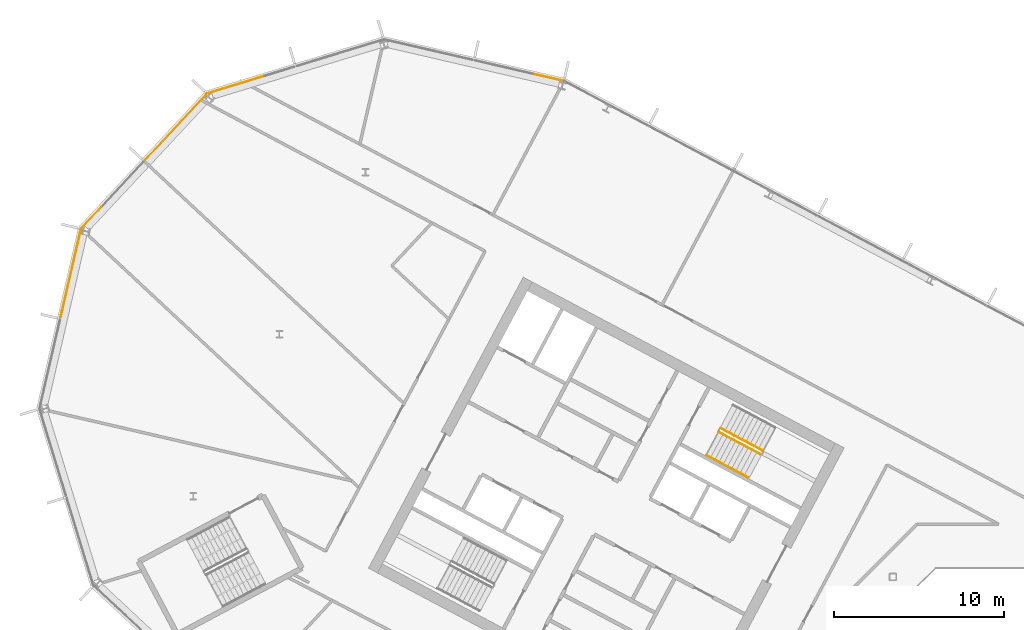
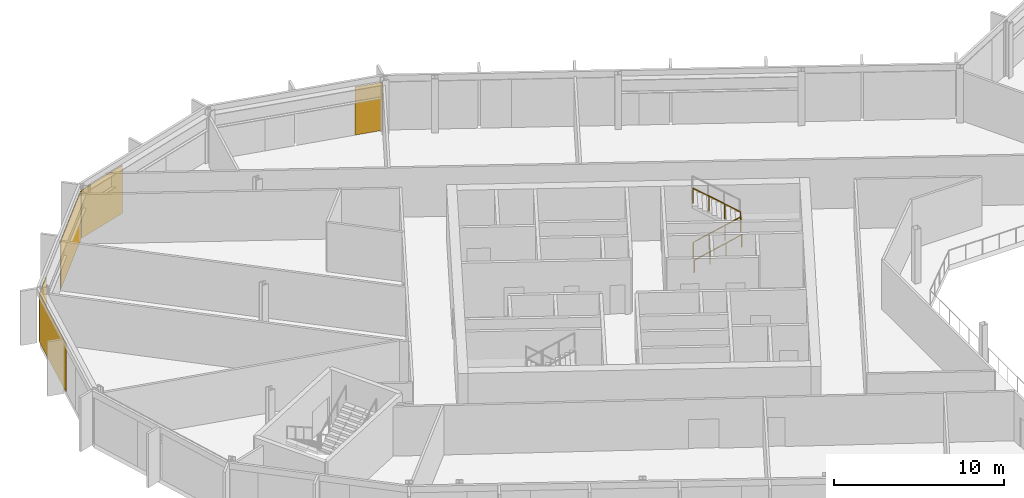
# One storey, part 21 of 26: 5 coverings, 3 railings, 4 elements without a shape of their own.
"""IFC4 building model written with IfcOpenShell, lengths in metres."""

from ifc_helpers import new_model, si_unit, direction, frame, origin, origin_2d, place, context, subcontext, project, spatial, polyline, rectangle, outline, extrude, material, layer, layer_set, type_object, element, aggregate, save


model = new_model("IFC4")

# Units and contexts
model_context = context("Model", 3, precision=1e-05, world=origin(), true_north=direction((0.0, 1.0)))
body_context = subcontext(model_context, "Body", "Model", "MODEL_VIEW")
ifc_project = project(units=[si_unit("LENGTHUNIT", "METRE"), si_unit("AREAUNIT", "SQUARE_METRE"), si_unit("VOLUMEUNIT", "CUBIC_METRE"), si_unit("PLANEANGLEUNIT", "RADIAN"), si_unit("MASSUNIT", "GRAM", prefix="KILO")], contexts=[model_context])

# Site, building, storey
site_placement = place(None, origin())
site = spatial("IfcSite", under=ifc_project, at=site_placement, CompositionType="ELEMENT")
building_placement = place(site_placement, origin())
building = spatial("IfcBuilding", under=site, at=building_placement, Name="Cormorant Relay Tower", CompositionType="ELEMENT")
storey_placement = place(building_placement, frame((0.0, 0.0, 213.0)))
storey = spatial("IfcBuildingStorey", under=building, at=storey_placement, Name="L46", CompositionType="ELEMENT", Elevation=213.0)

# Curtain wall, covering
ifc_material_1 = material(Name="Aluminium 6063-T6 anodised bronze", Category="aluminium")
ifc_layer_1 = layer(ifc_material_1, 0.199951171875)
ifc_layer_set_1 = layer_set([ifc_layer_1], Name="CW1 unitised bronze curtain wall with vertical fins")
curtain_wall_type = type_object("IfcCurtainWallType", Name="CW1 unitised bronze curtain wall with vertical fins", PredefinedType="NOTDEFINED", material=ifc_layer_set_1)
curtain_wall_1_placement = place(storey_placement, origin())
curtain_wall_1 = element("IfcCurtainWall", 1, at=curtain_wall_1_placement, inside=storey, type_object=curtain_wall_type, Name="CW1 curtain wall 10", PredefinedType="NOTDEFINED")
ifc_material_2 = material(Name="Pale bronze anodised aluminium insulated panel", Category="aluminium")
ifc_layer_2 = layer(ifc_material_2, 0.0400390625)
ifc_layer_set_2 = layer_set([ifc_layer_2], Name="CW1 pale bronze insulated panel 40")
covering_type = type_object("IfcCoveringType", Name="CW1 pale bronze insulated panel 40", PredefinedType="CLADDING", material=ifc_layer_set_2)
covering_1_placement = place(storey_placement, frame((-30.76318359375, 39.89404296875, 0.0), z_axis=(0.0, 0.0, 1.0), x_axis=(-0.974370064785, 0.224951054344, 0.0)))
covering_1 = element("IfcCovering", 2, at=covering_1_placement, type_object=covering_type, Name="CW1 panel S00", PredefinedType="CLADDING", context=body_context, shape_type="SweptSolid", body=[
    extrude(rectangle(XDim=1.685302734375, YDim=0.0400390625, at=origin_2d()), origin(), (0.0, 0.0, 1.0), 3.449951171875),
])
aggregate(curtain_wall_1, [covering_1])

curtain_wall_2_placement = place(storey_placement, origin())
curtain_wall_2 = element("IfcCurtainWall", 3, at=curtain_wall_2_placement, inside=storey, type_object=curtain_wall_type, Name="CW1 curtain wall 11", PredefinedType="NOTDEFINED")
covering_2_placement = place(storey_placement, frame((-49.16455078125, 39.474853515625, 0.0), z_axis=(0.0, 0.0, 1.0), x_axis=(-0.956304755963, -0.292371704723, 0.0)))
covering_2 = element("IfcCovering", 4, at=covering_2_placement, type_object=covering_type, Name="CW1 panel S03", PredefinedType="CLADDING", context=body_context, shape_type="SweptSolid", body=[
    extrude(rectangle(XDim=3.560302734375, YDim=0.0400390625, at=origin_2d()), origin(), (0.0, 0.0, 1.0), 3.449951171875),
])
aggregate(curtain_wall_2, [covering_2])

# Curtain wall, coverings
curtain_wall_3_placement = place(storey_placement, origin())
curtain_wall_3 = element("IfcCurtainWall", 5, at=curtain_wall_3_placement, inside=storey, type_object=curtain_wall_type, Name="CW1 curtain wall 12", PredefinedType="NOTDEFINED")
covering_3_placement = place(storey_placement, frame((-52.72900390625, 36.961181640625, 0.0), z_axis=(0.0, 0.0, 1.0), x_axis=(-0.681998360062, -0.731353701619, 0.0)))
covering_3 = element("IfcCovering", 6, at=covering_3_placement, type_object=covering_type, Name="CW1 panel S00", PredefinedType="CLADDING", context=body_context, shape_type="SweptSolid", body=[
    extrude(rectangle(XDim=5.28515625, YDim=0.0400390625, at=origin_2d()), origin(), (0.0, 0.0, 1.0), 3.449951171875),
])
covering_4_placement = place(storey_placement, frame((-57.68896484375, 31.642333984375, 0.0), z_axis=(0.0, 0.0, 1.0), x_axis=(-0.681998360062, -0.731353701619, 0.0)))
covering_4 = element("IfcCovering", 7, at=covering_4_placement, type_object=covering_type, Name="CW1 panel S02", PredefinedType="CLADDING", context=body_context, shape_type="SweptSolid", body=[
    extrude(rectangle(XDim=1.76025390625, YDim=0.0400390625, at=origin_2d()), origin(), (0.0, 0.0, 1.0), 3.449951171875),
])
aggregate(curtain_wall_3, [covering_3, covering_4])

# Curtain wall, covering
curtain_wall_4_placement = place(storey_placement, origin())
curtain_wall_4 = element("IfcCurtainWall", 8, at=curtain_wall_4_placement, inside=storey, type_object=curtain_wall_type, Name="CW1 curtain wall 13", PredefinedType="NOTDEFINED")
covering_5_placement = place(storey_placement, frame((-58.905517578125, 28.341796875, 0.0), z_axis=(0.0, 0.0, 1.0), x_axis=(-0.224951054344, -0.974370064785, 0.0)))
covering_5 = element("IfcCovering", 9, at=covering_5_placement, type_object=covering_type, Name="CW1 panel S00", PredefinedType="CLADDING", context=body_context, shape_type="SweptSolid", body=[
    extrude(rectangle(XDim=5.28515625, YDim=0.0400390625, at=origin_2d()), origin(), (0.0, 0.0, 1.0), 3.449951171875),
])
aggregate(curtain_wall_4, [covering_5])

# Railings
ifc_material_3 = material(Name="Steel ASTM A572 Grade 50 (Fy 345 MPa)", Category="steel")
railing_type_1 = type_object("IfcRailingType", Name="Stair guard 1100", PredefinedType="GUARDRAIL", material=ifc_material_3)
railing_1_placement = place(storey_placement, frame((-20.75048828125, 19.017822265625, 0.17724609375)))
element("IfcRailing", 10, at=railing_1_placement, inside=storey, type_object=railing_type_1, Name="L46 A1 stair guard 1", PredefinedType="GUARDRAIL", context=body_context, shape_type="SweptSolid", body=[
    extrude(outline(polyline([(0.022216796875, 0.00927734375), (0.00927734375, 0.022216796875), (-0.00927734375, 0.022216796875), (-0.022216796875, 0.00927734375), (-0.022216796875, -0.00927734375), (-0.00927734375, -0.022216796875), (0.00927734375, -0.022216796875), (0.022216796875, -0.00927734375), (0.022216796875, 0.00927734375)])), frame((0.0, 0.0, 1.076171875), z_axis=(0.746001213114, -0.396649272309, 0.534931345884), x_axis=(0.469465464807, 0.882950835185, 0.0)), (0.0, 0.0, 1.0), 3.31396484375),
    extrude(outline(polyline([(0.019287109375, 0.008056640625), (0.008056640625, 0.019287109375), (-0.008056640625, 0.019287109375), (-0.019287109375, 0.008056640625), (-0.019287109375, -0.008056640625), (-0.008056640625, -0.019287109375), (0.008056640625, -0.019287109375), (0.019287109375, -0.008056640625), (0.019287109375, 0.008056640625)])), origin(), (0.0, 0.0, 1.0), 1.052001953125),
    extrude(outline(polyline([(0.019287109375, 0.008056640625), (0.008056640625, 0.019287109375), (-0.008056640625, 0.019287109375), (-0.019287109375, 0.008056640625), (-0.019287109375, -0.008056640625), (-0.008056640625, -0.019287109375), (0.008056640625, -0.019287109375), (0.019287109375, -0.008056640625), (0.019287109375, 0.008056640625)])), frame((0.823974609375, -0.438232421875, 0.5908203125)), (0.0, 0.0, 1.0), 1.052001953125),
    extrude(outline(polyline([(0.019287109375, 0.008056640625), (0.008056640625, 0.019287109375), (-0.008056640625, 0.019287109375), (-0.019287109375, 0.008056640625), (-0.019287109375, -0.008056640625), (-0.008056640625, -0.019287109375), (0.008056640625, -0.019287109375), (0.019287109375, -0.008056640625), (0.019287109375, 0.008056640625)])), frame((1.648193359375, -0.876220703125, 1.181884765625)), (0.0, 0.0, 1.0), 1.052001953125),
    extrude(outline(polyline([(0.019287109375, 0.008056640625), (0.008056640625, 0.019287109375), (-0.008056640625, 0.019287109375), (-0.019287109375, 0.008056640625), (-0.019287109375, -0.008056640625), (-0.008056640625, -0.019287109375), (0.008056640625, -0.019287109375), (0.019287109375, -0.008056640625), (0.019287109375, 0.008056640625)])), frame((2.47216796875, -1.314453125, 1.772705078125)), (0.0, 0.0, 1.0), 1.052001953125),
])
railing_2_placement = place(storey_placement, frame((-18.160888671875, 17.924072265625, 2.127197265625)))
element("IfcRailing", 11, at=railing_2_placement, inside=storey, type_object=railing_type_1, Name="L46 A1 stair guard 3", PredefinedType="GUARDRAIL", context=body_context, shape_type="SweptSolid", body=[
    extrude(outline(polyline([(0.022216796875, 0.00927734375), (0.00927734375, 0.022216796875), (-0.00927734375, 0.022216796875), (-0.022216796875, 0.00927734375), (-0.022216796875, -0.00927734375), (-0.00927734375, -0.022216796875), (0.00927734375, -0.022216796875), (0.022216796875, -0.00927734375), (0.022216796875, 0.00927734375)])), frame((0.0, 0.0, 1.076171875), z_axis=(-0.746033882577, 0.396627473466, 0.534901947407), x_axis=(-0.469429322983, -0.882970050864, 0.0)), (0.0, 0.0, 1.0), 3.31396484375),
    extrude(outline(polyline([(0.019287109375, 0.008056640625), (0.008056640625, 0.019287109375), (-0.008056640625, 0.019287109375), (-0.019287109375, 0.008056640625), (-0.019287109375, -0.008056640625), (-0.008056640625, -0.019287109375), (0.008056640625, -0.019287109375), (0.019287109375, -0.008056640625), (0.019287109375, 0.008056640625)])), origin(), (0.0, 0.0, 1.0), 1.052001953125),
    extrude(outline(polyline([(0.019287109375, 0.008056640625), (0.008056640625, 0.019287109375), (-0.008056640625, 0.019287109375), (-0.019287109375, 0.008056640625), (-0.019287109375, -0.008056640625), (-0.008056640625, -0.019287109375), (0.008056640625, -0.019287109375), (0.019287109375, -0.008056640625), (0.019287109375, 0.008056640625)])), frame((-0.82421875, 0.438232421875, 0.5908203125)), (0.0, 0.0, 1.0), 1.052001953125),
    extrude(outline(polyline([(0.019287109375, 0.008056640625), (0.008056640625, 0.019287109375), (-0.008056640625, 0.019287109375), (-0.019287109375, 0.008056640625), (-0.019287109375, -0.008056640625), (-0.008056640625, -0.019287109375), (0.008056640625, -0.019287109375), (0.019287109375, -0.008056640625), (0.019287109375, 0.008056640625)])), frame((-1.648193359375, 0.876220703125, 1.181884765625)), (0.0, 0.0, 1.0), 1.052001953125),
    extrude(outline(polyline([(0.019287109375, 0.008056640625), (0.008056640625, 0.019287109375), (-0.008056640625, 0.019287109375), (-0.019287109375, 0.008056640625), (-0.019287109375, -0.008056640625), (-0.008056640625, -0.019287109375), (0.008056640625, -0.019287109375), (0.019287109375, -0.008056640625), (0.019287109375, 0.008056640625)])), frame((-2.472412109375, 1.314453125, 1.772705078125)), (0.0, 0.0, 1.0), 1.052001953125),
])
ifc_material_4 = material(Name="Steel ASTM A572 Grade 50 (Fy 345 MPa)", Category="steel")
railing_type_2 = type_object("IfcRailingType", Name="Stair handrail 900", PredefinedType="HANDRAIL", material=ifc_material_4)
railing_3_placement = place(storey_placement, frame((-21.478271484375, 17.6494140625, 0.17724609375)))
element("IfcRailing", 12, at=railing_3_placement, inside=storey, type_object=railing_type_2, Name="L46 A1 stair handrail 1", PredefinedType="HANDRAIL", context=body_context, shape_type="SweptSolid", body=[
    extrude(outline(polyline([(0.022216796875, 0.00927734375), (0.00927734375, 0.022216796875), (-0.00927734375, 0.022216796875), (-0.022216796875, 0.00927734375), (-0.022216796875, -0.00927734375), (-0.00927734375, -0.022216796875), (0.00927734375, -0.022216796875), (0.022216796875, -0.00927734375), (0.022216796875, 0.00927734375)])), frame((0.0, 0.0, 0.8759765625), z_axis=(0.746012083385, -0.396689549623, 0.534886317514), x_axis=(0.469497295046, 0.882933910293, 0.0)), (0.0, 0.0, 1.0), 3.314208984375),
    extrude(outline(polyline([(0.019287109375, 0.008056640625), (0.008056640625, 0.019287109375), (-0.008056640625, 0.019287109375), (-0.019287109375, 0.008056640625), (-0.019287109375, -0.008056640625), (-0.008056640625, -0.019287109375), (0.008056640625, -0.019287109375), (0.019287109375, -0.008056640625), (0.019287109375, 0.008056640625)])), origin(), (0.0, 0.0, 1.0), 0.851806640625),
    extrude(outline(polyline([(0.019287109375, 0.008056640625), (0.008056640625, 0.019287109375), (-0.008056640625, 0.019287109375), (-0.019287109375, 0.008056640625), (-0.019287109375, -0.008056640625), (-0.008056640625, -0.019287109375), (0.008056640625, -0.019287109375), (0.019287109375, -0.008056640625), (0.019287109375, 0.008056640625)])), frame((0.82421875, -0.438232421875, 0.5908203125)), (0.0, 0.0, 1.0), 0.851806640625),
    extrude(outline(polyline([(0.019287109375, 0.008056640625), (0.008056640625, 0.019287109375), (-0.008056640625, 0.019287109375), (-0.019287109375, 0.008056640625), (-0.019287109375, -0.008056640625), (-0.008056640625, -0.019287109375), (0.008056640625, -0.019287109375), (0.019287109375, -0.008056640625), (0.019287109375, 0.008056640625)])), frame((1.648193359375, -0.87646484375, 1.181884765625)), (0.0, 0.0, 1.0), 0.851806640625),
    extrude(outline(polyline([(0.019287109375, 0.008056640625), (0.008056640625, 0.019287109375), (-0.008056640625, 0.019287109375), (-0.019287109375, 0.008056640625), (-0.019287109375, -0.008056640625), (-0.008056640625, -0.019287109375), (0.008056640625, -0.019287109375), (0.019287109375, -0.008056640625), (0.019287109375, 0.008056640625)])), frame((2.472412109375, -1.314697265625, 1.772705078125)), (0.0, 0.0, 1.0), 0.851806640625),
])

save(model, "model.ifc")
